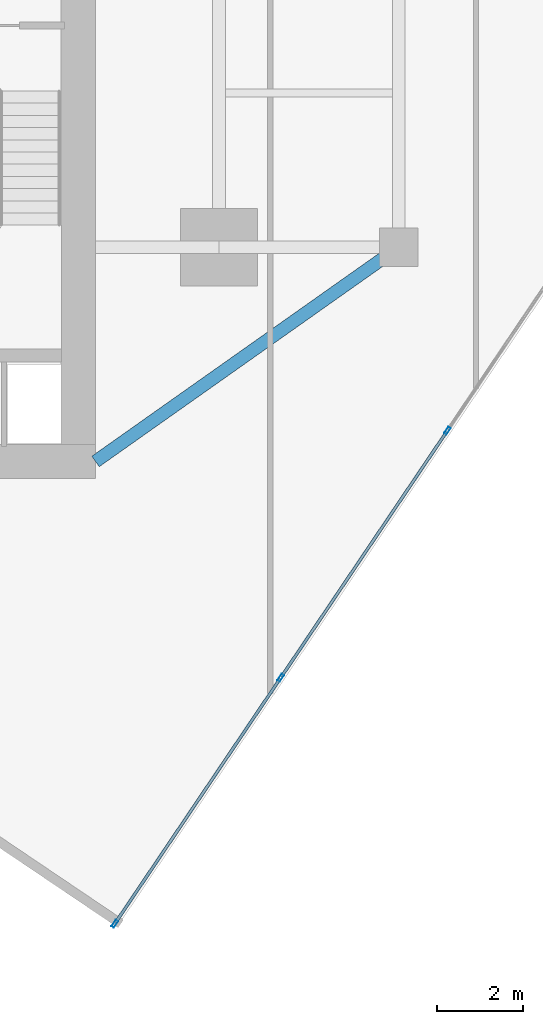
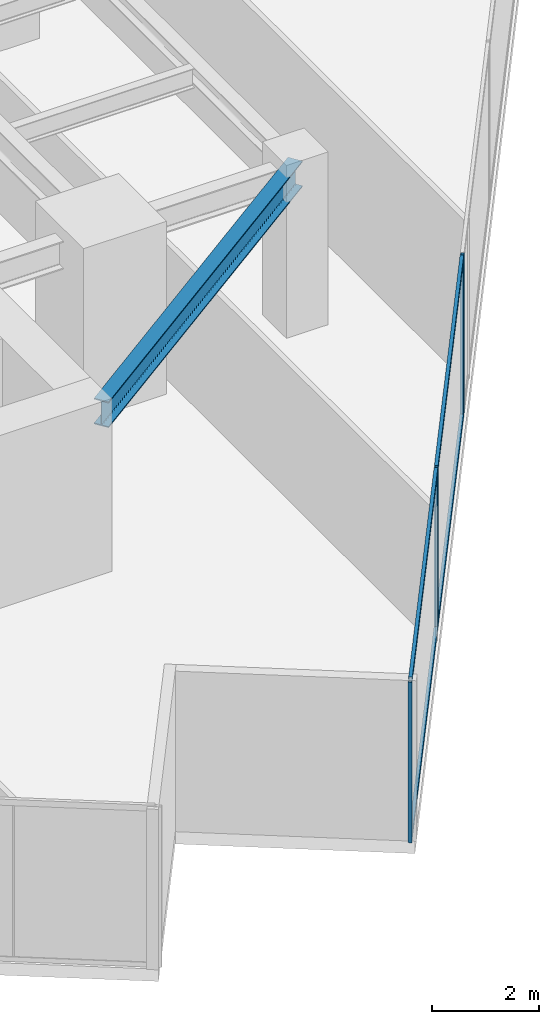
# One storey, part 9 of 27: 7 members, 1 beam, 1 element without a shape of its own.
"""IFC4 building model written with IfcOpenShell, lengths in metres."""

from ifc_helpers import new_model, si_unit, direction, frame, origin, origin_2d, place, context, subcontext, project, spatial, hollow_rectangle, i_section, extrude, source, transform, mapped, material, material_profile, profile_set, type_object, type_shapes, element, aggregate, save


model = new_model("IFC4")

# Units and contexts
model_context = context("Model", 3, precision=1e-05, world=origin(), true_north=direction((0.0, 1.0)))
body_context = subcontext(model_context, "Body", "Model", "MODEL_VIEW")
ifc_project = project(units=[si_unit("LENGTHUNIT", "METRE"), si_unit("AREAUNIT", "SQUARE_METRE"), si_unit("VOLUMEUNIT", "CUBIC_METRE"), si_unit("PLANEANGLEUNIT", "RADIAN"), si_unit("MASSUNIT", "GRAM", prefix="KILO")], contexts=[model_context])

# Site, building, storey
site_placement = place(None, origin())
site = spatial("IfcSite", under=ifc_project, at=site_placement, CompositionType="ELEMENT")
building_placement = place(site_placement, origin())
building = spatial("IfcBuilding", under=site, at=building_placement, Name="Krantzveldt Concourse Tower", CompositionType="ELEMENT")
storey_placement = place(building_placement, frame((0.0, 0.0, 185.699951171875)))
storey = spatial("IfcBuildingStorey", under=building, at=storey_placement, Name="L45", CompositionType="ELEMENT", Elevation=185.699951171875)

# Beam
ifc_material_1 = material(Name="Steel S355JR", Category="steel")
ifc_material_profile_1 = material_profile(ifc_material_1, i_section(OverallWidth=0.300048828125, OverallDepth=0.590087890625, WebThickness=0.012939453125, FlangeThickness=0.02490234375, FilletRadius=0.027099609375, at=origin_2d()), Name="Steel S355JR", Category="steel")
ifc_profile_set_1 = profile_set([ifc_material_profile_1], Name="Steel S355JR - HEA 600")
beam_type = type_object("IfcBeamType", Name="BM-B-HEA600", PredefinedType="BEAM", material=ifc_profile_set_1)
shared_shape_1 = source(origin(), body_context, "Body", "SweptSolid", [
    extrude(i_section(OverallWidth=0.300048828125, OverallDepth=0.590087890625, WebThickness=0.012939453125, FlangeThickness=0.02490234375, FilletRadius=0.027099609375, at=origin_2d()), origin(), (0.0, 0.0, 1.0), 8.667724609375),
])
type_shapes(beam_type, [shared_shape_1])
beam_placement = place(storey_placement, frame((51.0, 15.89990234375, 3.375), z_axis=(-0.81684294656, -0.576860122261, 0.0), x_axis=(0.576860122261, -0.81684294656, 0.0)))
element("IfcBeam", 1, at=beam_placement, inside=storey, type_object=beam_type, Name="L45 Tower Girder BR-CSE", PredefinedType="BEAM", context=body_context, shape_type="MappedRepresentation", body=[
    mapped(shared_shape_1, transform((0.0, 0.0, 0.0), x_axis=(1.0, 0.0, 0.0), y_axis=(0.0, 1.0, 0.0), z_axis=(0.0, 0.0, 1.0), scale=1.0)),
])

# Curtain wall, members
ifc_material_2 = material(Name="Anodised aluminium 6063-T6", Category="aluminium")
curtain_wall_type = type_object("IfcCurtainWallType", Name="CW3", PredefinedType="USERDEFINED", material=ifc_material_2)
curtain_wall_placement = place(storey_placement, origin())
curtain_wall = element("IfcCurtainWall", 2, at=curtain_wall_placement, inside=storey, type_object=curtain_wall_type, Name="CW-L45-F07", ObjectType="UNITISED CURTAIN WALL", PredefinedType="USERDEFINED")
ifc_material_profile_2 = material_profile(ifc_material_2, hollow_rectangle(XDim=0.070068359375, YDim=0.179931640625, WallThickness=0.0048828125, at=origin_2d()), Name="Anodised aluminium 6063-T6", Category="aluminium")
ifc_profile_set_2 = profile_set([ifc_material_profile_2], Name="Anodised aluminium 6063-T6 - ALU-MULL 180x70x5")
member_type_1 = type_object("IfcMemberType", Name="CW-MUL-180", PredefinedType="MULLION", material=ifc_profile_set_2)
shared_shape_2 = source(origin(), body_context, "Body", "SweptSolid", [
    extrude(hollow_rectangle(XDim=0.070068359375, YDim=0.179931640625, WallThickness=0.0048828125, at=origin_2d()), origin(), (0.0, 0.0, 1.0), 3.670166015625),
])
type_shapes(member_type_1, [shared_shape_2])
member_1_placement = place(storey_placement, frame((44.370849609375, 0.107666015625, 0.0), z_axis=(0.0, 0.0, 1.0), x_axis=(-0.829037635301, 0.559192810447, 0.0)))
member_1 = element("IfcMember", 3, at=member_1_placement, type_object=member_type_1, Name="CW-Z34 mullion 1", PredefinedType="MULLION", context=body_context, shape_type="MappedRepresentation", body=[
    mapped(shared_shape_2, transform((0.0, 0.0, 0.0), x_axis=(1.0, 0.0, 0.0), y_axis=(0.0, 1.0, 0.0), z_axis=(0.0, 0.0, 1.0), scale=1.0)),
])
member_2_placement = place(storey_placement, frame((48.243408203125, 5.848876953125, 0.0), z_axis=(0.0, 0.0, 1.0), x_axis=(-0.829037635301, 0.559192810447, 0.0)))
member_2 = element("IfcMember", 4, at=member_2_placement, type_object=member_type_1, Name="CW-Z34 mullion 2", PredefinedType="MULLION", context=body_context, shape_type="MappedRepresentation", body=[
    mapped(shared_shape_2, transform((0.0, 0.0, 0.0), x_axis=(1.0, 0.0, 0.0), y_axis=(0.0, 1.0, 0.0), z_axis=(0.0, 0.0, 1.0), scale=1.0)),
])
member_3_placement = place(storey_placement, frame((52.13525390625, 11.618896484375, 0.0), z_axis=(0.0, 0.0, 1.0), x_axis=(-0.829037635301, 0.559192810447, 0.0)))
member_3 = element("IfcMember", 5, at=member_3_placement, type_object=member_type_1, Name="CW-Z34 mullion 3", PredefinedType="MULLION", context=body_context, shape_type="MappedRepresentation", body=[
    mapped(shared_shape_2, transform((0.0, 0.0, 0.0), x_axis=(1.0, 0.0, 0.0), y_axis=(0.0, 1.0, 0.0), z_axis=(0.0, 0.0, 1.0), scale=1.0)),
])
ifc_material_profile_3 = material_profile(ifc_material_2, hollow_rectangle(XDim=0.070068359375, YDim=0.139892578125, WallThickness=0.0048828125, at=origin_2d()), Name="Anodised aluminium 6063-T6", Category="aluminium")
ifc_profile_set_3 = profile_set([ifc_material_profile_3], Name="Anodised aluminium 6063-T6 - ALU-TRAN 140x70x5")
member_type_2 = type_object("IfcMemberType", Name="CW-TRN-150", PredefinedType="USERDEFINED", material=ifc_profile_set_3)
shared_shape_3 = source(origin(), body_context, "Body", "SweptSolid", [
    extrude(hollow_rectangle(XDim=0.070068359375, YDim=0.139892578125, WallThickness=0.0048828125, at=origin_2d()), origin(), (0.0, 0.0, 1.0), 6.85498046875),
])
member_4_placement = place(storey_placement, frame((44.390625, 0.13671875, 0.03515625), z_axis=(0.559187781281, 0.829041027493, 0.0), x_axis=(-0.829041027493, 0.559187781281, 0.0)))
member_4 = element("IfcMember", 6, at=member_4_placement, type_object=member_type_2, Name="CW-Z34 transom 1.1", ObjectType="TRANSOM", PredefinedType="USERDEFINED", context=body_context, shape_type="MappedRepresentation", body=[
    mapped(shared_shape_3, transform((0.0, 0.0, 0.0), x_axis=(1.0, 0.0, 0.0), y_axis=(0.0, 1.0, 0.0), z_axis=(0.0, 0.0, 1.0), scale=1.0)),
])
member_5_placement = place(storey_placement, frame((44.390625, 0.13671875, 3.635009765625), z_axis=(0.559187781281, 0.829041027493, 0.0), x_axis=(-0.829041027493, 0.559187781281, 0.0)))
member_5 = element("IfcMember", 7, at=member_5_placement, type_object=member_type_2, Name="CW-Z34 transom 1.2", ObjectType="TRANSOM", PredefinedType="USERDEFINED", context=body_context, shape_type="MappedRepresentation", body=[
    mapped(shared_shape_3, transform((0.0, 0.0, 0.0), x_axis=(1.0, 0.0, 0.0), y_axis=(0.0, 1.0, 0.0), z_axis=(0.0, 0.0, 1.0), scale=1.0)),
])
shared_shape_4 = source(origin(), body_context, "Body", "SweptSolid", [
    extrude(hollow_rectangle(XDim=0.070068359375, YDim=0.139892578125, WallThickness=0.0048828125, at=origin_2d()), origin(), (0.0, 0.0, 1.0), 6.889892578125),
])
type_shapes(member_type_2, [shared_shape_3, shared_shape_4])
member_6_placement = place(storey_placement, frame((48.262939453125, 5.8779296875, 0.03515625), z_axis=(0.559197743675, 0.829034307776, 0.0), x_axis=(-0.829034307776, 0.559197743675, 0.0)))
member_6 = element("IfcMember", 8, at=member_6_placement, type_object=member_type_2, Name="CW-Z34 transom 2.1", ObjectType="TRANSOM", PredefinedType="USERDEFINED", context=body_context, shape_type="MappedRepresentation", body=[
    mapped(shared_shape_4, transform((0.0, 0.0, 0.0), x_axis=(1.0, 0.0, 0.0), y_axis=(0.0, 1.0, 0.0), z_axis=(0.0, 0.0, 1.0), scale=1.0)),
])
member_7_placement = place(storey_placement, frame((48.262939453125, 5.8779296875, 3.635009765625), z_axis=(0.559197743675, 0.829034307776, 0.0), x_axis=(-0.829034307776, 0.559197743675, 0.0)))
member_7 = element("IfcMember", 9, at=member_7_placement, type_object=member_type_2, Name="CW-Z34 transom 2.2", ObjectType="TRANSOM", PredefinedType="USERDEFINED", context=body_context, shape_type="MappedRepresentation", body=[
    mapped(shared_shape_4, transform((0.0, 0.0, 0.0), x_axis=(1.0, 0.0, 0.0), y_axis=(0.0, 1.0, 0.0), z_axis=(0.0, 0.0, 1.0), scale=1.0)),
])
aggregate(curtain_wall, [member_1, member_2, member_3, member_4, member_5, member_6, member_7])

save(model, "model.ifc")
